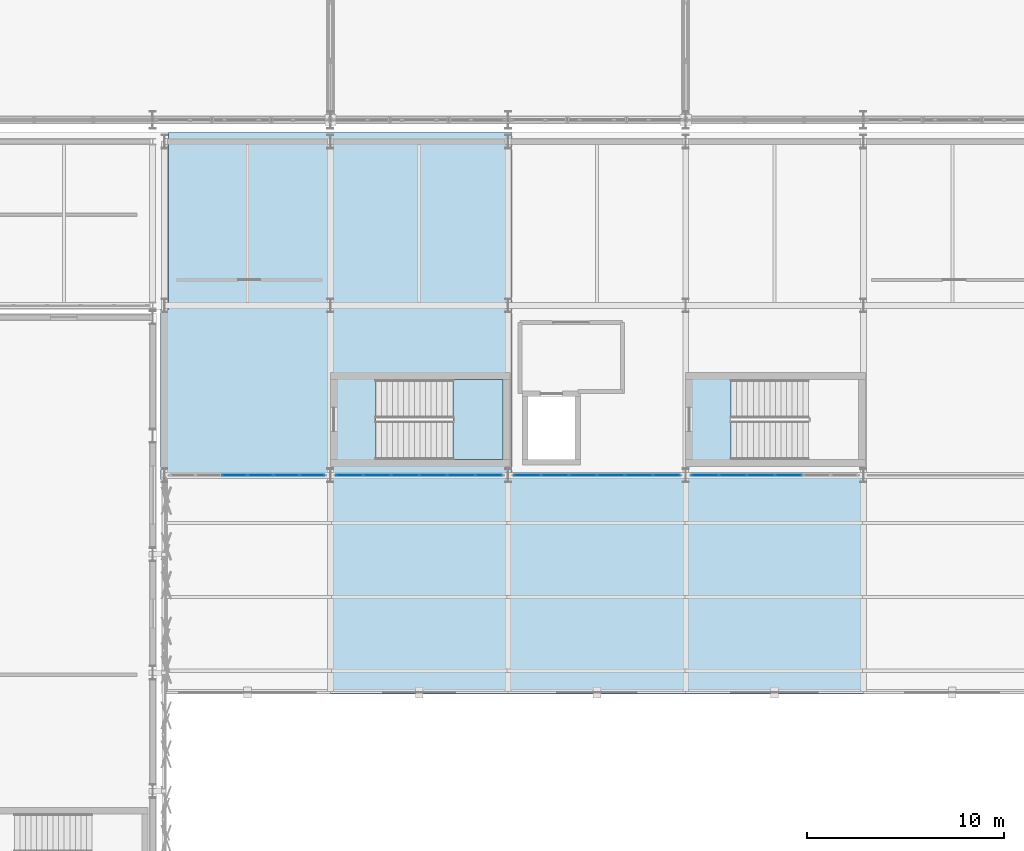
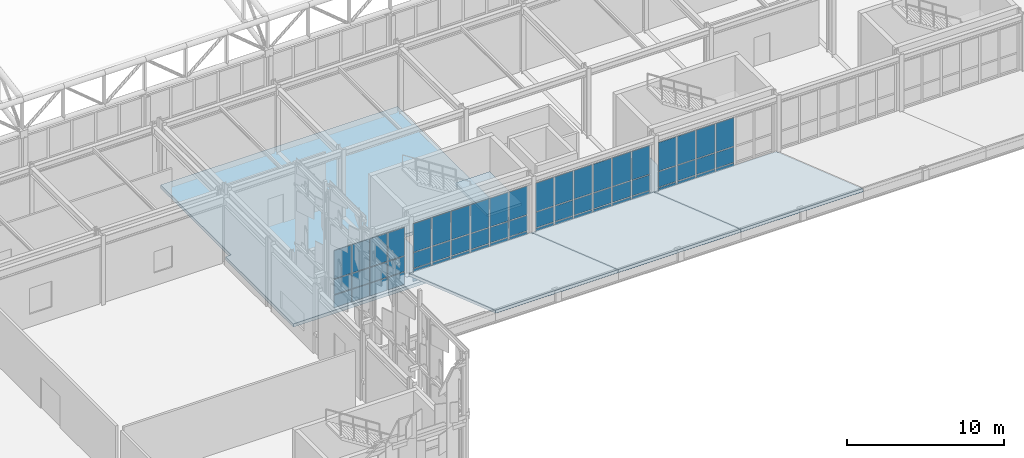
# One storey, part 182 of 239: 60 plates, 7 slabs, 6 elements without a shape of their own.
"""IFC4 building model written with IfcOpenShell, lengths in metres."""

from ifc_helpers import new_model, si_unit, direction, frame, origin, origin_2d, place, context, subcontext, project, spatial, polyline, rectangle, outline, extrude, material, layer, layer_set, type_object, element, aggregate, save


model = new_model("IFC4")

# Units and contexts
model_context = context("Model", 3, precision=1e-05, world=origin(), true_north=direction((0.0, 1.0)))
body_context = subcontext(model_context, "Body", "Model", "MODEL_VIEW")
ifc_project = project(units=[si_unit("LENGTHUNIT", "METRE"), si_unit("AREAUNIT", "SQUARE_METRE"), si_unit("VOLUMEUNIT", "CUBIC_METRE"), si_unit("PLANEANGLEUNIT", "RADIAN"), si_unit("MASSUNIT", "GRAM", prefix="KILO")], contexts=[model_context])

# Site, building, storey
site_placement = place(None, origin())
site = spatial("IfcSite", under=ifc_project, at=site_placement, CompositionType="ELEMENT")
building_placement = place(site_placement, origin())
building = spatial("IfcBuilding", under=site, at=building_placement, Name="Kaldris Quays Convention Centre", CompositionType="ELEMENT")
storey_placement = place(building_placement, frame((0.0, 0.0, 11.39990234375)))
storey = spatial("IfcBuildingStorey", under=building, at=storey_placement, Name="L02", CompositionType="ELEMENT", Elevation=11.39990234375)

# Curtain wall, plates
ifc_material_1 = material(Name="Anodized aluminium AW-6060 and triple glazing", Category="aluminium")
curtain_wall_type = type_object("IfcCurtainWallType", Name="UNITISED CURTAIN WALL CW04", PredefinedType="NOTDEFINED", material=ifc_material_1)
curtain_wall_1_placement = place(storey_placement, origin())
curtain_wall_1 = element("IfcCurtainWall", 1, at=curtain_wall_1_placement, inside=storey, type_object=curtain_wall_type, Name="L02 Unitised Curtain Wall CW04 114", PredefinedType="NOTDEFINED")
ifc_material_2 = material(Name="Triple low-E insulated glazing", Category="glass")
plate_type_1 = type_object("IfcPlateType", Name="CURTAIN GLAZING PANEL CWP2", PredefinedType="CURTAIN_PANEL", material=ifc_material_2)
plate_1_placement = place(storey_placement, frame((87.1416015625, 38.0, 0.06005859375), z_axis=(0.0, 0.0, 1.0), x_axis=(1.0, 0.0, 0.0)))
plate_1 = element("IfcPlate", 2, at=plate_1_placement, type_object=plate_type_1, Name="CW04 panel 3.1", PredefinedType="CURTAIN_PANEL", context=body_context, shape_type="SweptSolid", body=[
    extrude(rectangle(XDim=1.256591796875, YDim=0.033935546875, at=origin_2d()), origin(), (0.0, 0.0, 1.0), 0.9599609375),
])
plate_2_placement = place(storey_placement, frame((87.1416015625, 38.0, 1.080078125), z_axis=(0.0, 0.0, 1.0), x_axis=(1.0, 0.0, 0.0)))
plate_2 = element("IfcPlate", 3, at=plate_2_placement, type_object=plate_type_1, Name="CW04 panel 3.2", PredefinedType="CURTAIN_PANEL", context=body_context, shape_type="SweptSolid", body=[
    extrude(rectangle(XDim=1.256591796875, YDim=0.033935546875, at=origin_2d()), origin(), (0.0, 0.0, 1.0), 1.1640625),
])
plate_3_placement = place(storey_placement, frame((87.1416015625, 38.0, 2.303955078125), z_axis=(0.0, 0.0, 1.0), x_axis=(1.0, 0.0, 0.0)))
plate_3 = element("IfcPlate", 4, at=plate_3_placement, type_object=plate_type_1, Name="CW04 panel 3.3", PredefinedType="CURTAIN_PANEL", context=body_context, shape_type="SweptSolid", body=[
    extrude(rectangle(XDim=1.256591796875, YDim=0.033935546875, at=origin_2d()), origin(), (0.0, 0.0, 1.0), 2.18408203125),
])
plate_4_placement = place(storey_placement, frame((88.458251953125, 38.0, 0.06005859375), z_axis=(0.0, 0.0, 1.0), x_axis=(1.0, 0.0, 0.0)))
plate_4 = element("IfcPlate", 5, at=plate_4_placement, type_object=plate_type_1, Name="CW04 panel 4.1", PredefinedType="CURTAIN_PANEL", context=body_context, shape_type="SweptSolid", body=[
    extrude(rectangle(XDim=1.256591796875, YDim=0.033935546875, at=origin_2d()), origin(), (0.0, 0.0, 1.0), 0.9599609375),
])
plate_5_placement = place(storey_placement, frame((88.458251953125, 38.0, 1.080078125), z_axis=(0.0, 0.0, 1.0), x_axis=(1.0, 0.0, 0.0)))
plate_5 = element("IfcPlate", 6, at=plate_5_placement, type_object=plate_type_1, Name="CW04 panel 4.2", PredefinedType="CURTAIN_PANEL", context=body_context, shape_type="SweptSolid", body=[
    extrude(rectangle(XDim=1.256591796875, YDim=0.033935546875, at=origin_2d()), origin(), (0.0, 0.0, 1.0), 1.1640625),
])
plate_6_placement = place(storey_placement, frame((88.458251953125, 38.0, 2.303955078125), z_axis=(0.0, 0.0, 1.0), x_axis=(1.0, 0.0, 0.0)))
plate_6 = element("IfcPlate", 7, at=plate_6_placement, type_object=plate_type_1, Name="CW04 panel 4.3", PredefinedType="CURTAIN_PANEL", context=body_context, shape_type="SweptSolid", body=[
    extrude(rectangle(XDim=1.256591796875, YDim=0.033935546875, at=origin_2d()), origin(), (0.0, 0.0, 1.0), 2.18408203125),
])
plate_7_placement = place(storey_placement, frame((89.77490234375, 38.0, 0.06005859375), z_axis=(0.0, 0.0, 1.0), x_axis=(1.0, 0.0, 0.0)))
plate_7 = element("IfcPlate", 8, at=plate_7_placement, type_object=plate_type_1, Name="CW04 panel 5.1", PredefinedType="CURTAIN_PANEL", context=body_context, shape_type="SweptSolid", body=[
    extrude(rectangle(XDim=1.256591796875, YDim=0.033935546875, at=origin_2d()), origin(), (0.0, 0.0, 1.0), 0.9599609375),
])
plate_8_placement = place(storey_placement, frame((89.77490234375, 38.0, 1.080078125), z_axis=(0.0, 0.0, 1.0), x_axis=(1.0, 0.0, 0.0)))
plate_8 = element("IfcPlate", 9, at=plate_8_placement, type_object=plate_type_1, Name="CW04 panel 5.2", PredefinedType="CURTAIN_PANEL", context=body_context, shape_type="SweptSolid", body=[
    extrude(rectangle(XDim=1.256591796875, YDim=0.033935546875, at=origin_2d()), origin(), (0.0, 0.0, 1.0), 1.1640625),
])
plate_9_placement = place(storey_placement, frame((89.77490234375, 38.0, 2.303955078125), z_axis=(0.0, 0.0, 1.0), x_axis=(1.0, 0.0, 0.0)))
plate_9 = element("IfcPlate", 10, at=plate_9_placement, type_object=plate_type_1, Name="CW04 panel 5.3", PredefinedType="CURTAIN_PANEL", context=body_context, shape_type="SweptSolid", body=[
    extrude(rectangle(XDim=1.256591796875, YDim=0.033935546875, at=origin_2d()), origin(), (0.0, 0.0, 1.0), 2.18408203125),
])
plate_10_placement = place(storey_placement, frame((91.07666015625, 38.0, 0.06005859375), z_axis=(0.0, 0.0, 1.0), x_axis=(1.0, 0.0, 0.0)))
plate_10 = element("IfcPlate", 11, at=plate_10_placement, type_object=plate_type_1, Name="CW04 panel 6.1", PredefinedType="CURTAIN_PANEL", context=body_context, shape_type="SweptSolid", body=[
    extrude(rectangle(XDim=1.2265625, YDim=0.033935546875, at=origin_2d()), origin(), (0.0, 0.0, 1.0), 0.9599609375),
])
plate_11_placement = place(storey_placement, frame((91.07666015625, 38.0, 1.080078125), z_axis=(0.0, 0.0, 1.0), x_axis=(1.0, 0.0, 0.0)))
plate_11 = element("IfcPlate", 12, at=plate_11_placement, type_object=plate_type_1, Name="CW04 panel 6.2", PredefinedType="CURTAIN_PANEL", context=body_context, shape_type="SweptSolid", body=[
    extrude(rectangle(XDim=1.2265625, YDim=0.033935546875, at=origin_2d()), origin(), (0.0, 0.0, 1.0), 1.1640625),
])
plate_12_placement = place(storey_placement, frame((91.07666015625, 38.0, 2.303955078125), z_axis=(0.0, 0.0, 1.0), x_axis=(1.0, 0.0, 0.0)))
plate_12 = element("IfcPlate", 13, at=plate_12_placement, type_object=plate_type_1, Name="CW04 panel 6.3", PredefinedType="CURTAIN_PANEL", context=body_context, shape_type="SweptSolid", body=[
    extrude(rectangle(XDim=1.2265625, YDim=0.033935546875, at=origin_2d()), origin(), (0.0, 0.0, 1.0), 2.18408203125),
])
aggregate(curtain_wall_1, [plate_1, plate_2, plate_3, plate_4, plate_5, plate_6, plate_7, plate_8, plate_9, plate_10, plate_11, plate_12])

curtain_wall_2_placement = place(storey_placement, origin())
curtain_wall_2 = element("IfcCurtainWall", 14, at=curtain_wall_2_placement, inside=storey, type_object=curtain_wall_type, Name="L02 Unitised Curtain Wall CW04 115", PredefinedType="NOTDEFINED")
plate_type_2 = type_object("IfcPlateType", Name="CURTAIN GLAZING PANEL CWP3", PredefinedType="CURTAIN_PANEL", material=ifc_material_2)
plate_13_placement = place(storey_placement, frame((92.973388671875, 38.0, 0.06005859375), z_axis=(0.0, 0.0, 1.0), x_axis=(1.0, 0.0, 0.0)))
plate_13 = element("IfcPlate", 15, at=plate_13_placement, type_object=plate_type_2, Name="CW04 panel 1.1", PredefinedType="CURTAIN_PANEL", context=body_context, shape_type="SweptSolid", body=[
    extrude(rectangle(XDim=1.32666015625, YDim=0.0390625, at=origin_2d()), origin(), (0.0, 0.0, 1.0), 0.9599609375),
])
plate_14_placement = place(storey_placement, frame((92.973388671875, 38.0, 1.080078125), z_axis=(0.0, 0.0, 1.0), x_axis=(1.0, 0.0, 0.0)))
plate_14 = element("IfcPlate", 16, at=plate_14_placement, type_object=plate_type_2, Name="CW04 panel 1.2", PredefinedType="CURTAIN_PANEL", context=body_context, shape_type="SweptSolid", body=[
    extrude(rectangle(XDim=1.32666015625, YDim=0.0390625, at=origin_2d()), origin(), (0.0, 0.0, 1.0), 1.18994140625),
])
plate_15_placement = place(storey_placement, frame((92.973388671875, 38.0, 2.330078125), z_axis=(0.0, 0.0, 1.0), x_axis=(1.0, 0.0, 0.0)))
plate_15 = element("IfcPlate", 17, at=plate_15_placement, type_object=plate_type_2, Name="CW04 panel 1.3", PredefinedType="CURTAIN_PANEL", context=body_context, shape_type="SweptSolid", body=[
    extrude(rectangle(XDim=1.32666015625, YDim=0.0390625, at=origin_2d()), origin(), (0.0, 0.0, 1.0), 2.2099609375),
])
plate_16_placement = place(storey_placement, frame((94.375, 38.0, 0.06005859375), z_axis=(0.0, 0.0, 1.0), x_axis=(1.0, 0.0, 0.0)))
plate_16 = element("IfcPlate", 18, at=plate_16_placement, type_object=plate_type_2, Name="CW04 panel 2.1", PredefinedType="CURTAIN_PANEL", context=body_context, shape_type="SweptSolid", body=[
    extrude(rectangle(XDim=1.356689453125, YDim=0.0390625, at=origin_2d()), origin(), (0.0, 0.0, 1.0), 0.9599609375),
])
plate_17_placement = place(storey_placement, frame((94.375, 38.0, 1.080078125), z_axis=(0.0, 0.0, 1.0), x_axis=(1.0, 0.0, 0.0)))
plate_17 = element("IfcPlate", 19, at=plate_17_placement, type_object=plate_type_2, Name="CW04 panel 2.2", PredefinedType="CURTAIN_PANEL", context=body_context, shape_type="SweptSolid", body=[
    extrude(rectangle(XDim=1.356689453125, YDim=0.0390625, at=origin_2d()), origin(), (0.0, 0.0, 1.0), 1.18994140625),
])
plate_18_placement = place(storey_placement, frame((94.375, 38.0, 2.330078125), z_axis=(0.0, 0.0, 1.0), x_axis=(1.0, 0.0, 0.0)))
plate_18 = element("IfcPlate", 20, at=plate_18_placement, type_object=plate_type_2, Name="CW04 panel 2.3", PredefinedType="CURTAIN_PANEL", context=body_context, shape_type="SweptSolid", body=[
    extrude(rectangle(XDim=1.356689453125, YDim=0.0390625, at=origin_2d()), origin(), (0.0, 0.0, 1.0), 2.2099609375),
])
plate_19_placement = place(storey_placement, frame((95.791748046875, 38.0, 0.06005859375), z_axis=(0.0, 0.0, 1.0), x_axis=(1.0, 0.0, 0.0)))
plate_19 = element("IfcPlate", 21, at=plate_19_placement, type_object=plate_type_2, Name="CW04 panel 3.1", PredefinedType="CURTAIN_PANEL", context=body_context, shape_type="SweptSolid", body=[
    extrude(rectangle(XDim=1.356689453125, YDim=0.0390625, at=origin_2d()), origin(), (0.0, 0.0, 1.0), 0.9599609375),
])
plate_20_placement = place(storey_placement, frame((95.791748046875, 38.0, 1.080078125), z_axis=(0.0, 0.0, 1.0), x_axis=(1.0, 0.0, 0.0)))
plate_20 = element("IfcPlate", 22, at=plate_20_placement, type_object=plate_type_2, Name="CW04 panel 3.2", PredefinedType="CURTAIN_PANEL", context=body_context, shape_type="SweptSolid", body=[
    extrude(rectangle(XDim=1.356689453125, YDim=0.0390625, at=origin_2d()), origin(), (0.0, 0.0, 1.0), 1.18994140625),
])
plate_21_placement = place(storey_placement, frame((95.791748046875, 38.0, 2.330078125), z_axis=(0.0, 0.0, 1.0), x_axis=(1.0, 0.0, 0.0)))
plate_21 = element("IfcPlate", 23, at=plate_21_placement, type_object=plate_type_2, Name="CW04 panel 3.3", PredefinedType="CURTAIN_PANEL", context=body_context, shape_type="SweptSolid", body=[
    extrude(rectangle(XDim=1.356689453125, YDim=0.0390625, at=origin_2d()), origin(), (0.0, 0.0, 1.0), 2.2099609375),
])
plate_22_placement = place(storey_placement, frame((97.208251953125, 38.0, 0.06005859375), z_axis=(0.0, 0.0, 1.0), x_axis=(1.0, 0.0, 0.0)))
plate_22 = element("IfcPlate", 24, at=plate_22_placement, type_object=plate_type_2, Name="CW04 panel 4.1", PredefinedType="CURTAIN_PANEL", context=body_context, shape_type="SweptSolid", body=[
    extrude(rectangle(XDim=1.356689453125, YDim=0.0390625, at=origin_2d()), origin(), (0.0, 0.0, 1.0), 0.9599609375),
])
plate_23_placement = place(storey_placement, frame((97.208251953125, 38.0, 1.080078125), z_axis=(0.0, 0.0, 1.0), x_axis=(1.0, 0.0, 0.0)))
plate_23 = element("IfcPlate", 25, at=plate_23_placement, type_object=plate_type_2, Name="CW04 panel 4.2", PredefinedType="CURTAIN_PANEL", context=body_context, shape_type="SweptSolid", body=[
    extrude(rectangle(XDim=1.356689453125, YDim=0.0390625, at=origin_2d()), origin(), (0.0, 0.0, 1.0), 1.18994140625),
])
plate_24_placement = place(storey_placement, frame((97.208251953125, 38.0, 2.330078125), z_axis=(0.0, 0.0, 1.0), x_axis=(1.0, 0.0, 0.0)))
plate_24 = element("IfcPlate", 26, at=plate_24_placement, type_object=plate_type_2, Name="CW04 panel 4.3", PredefinedType="CURTAIN_PANEL", context=body_context, shape_type="SweptSolid", body=[
    extrude(rectangle(XDim=1.356689453125, YDim=0.0390625, at=origin_2d()), origin(), (0.0, 0.0, 1.0), 2.2099609375),
])
plate_25_placement = place(storey_placement, frame((98.625, 38.0, 0.06005859375), z_axis=(0.0, 0.0, 1.0), x_axis=(1.0, 0.0, 0.0)))
plate_25 = element("IfcPlate", 27, at=plate_25_placement, type_object=plate_type_2, Name="CW04 panel 5.1", PredefinedType="CURTAIN_PANEL", context=body_context, shape_type="SweptSolid", body=[
    extrude(rectangle(XDim=1.356689453125, YDim=0.0390625, at=origin_2d()), origin(), (0.0, 0.0, 1.0), 0.9599609375),
])
plate_26_placement = place(storey_placement, frame((98.625, 38.0, 1.080078125), z_axis=(0.0, 0.0, 1.0), x_axis=(1.0, 0.0, 0.0)))
plate_26 = element("IfcPlate", 28, at=plate_26_placement, type_object=plate_type_2, Name="CW04 panel 5.2", PredefinedType="CURTAIN_PANEL", context=body_context, shape_type="SweptSolid", body=[
    extrude(rectangle(XDim=1.356689453125, YDim=0.0390625, at=origin_2d()), origin(), (0.0, 0.0, 1.0), 1.18994140625),
])
plate_27_placement = place(storey_placement, frame((98.625, 38.0, 2.330078125), z_axis=(0.0, 0.0, 1.0), x_axis=(1.0, 0.0, 0.0)))
plate_27 = element("IfcPlate", 29, at=plate_27_placement, type_object=plate_type_2, Name="CW04 panel 5.3", PredefinedType="CURTAIN_PANEL", context=body_context, shape_type="SweptSolid", body=[
    extrude(rectangle(XDim=1.356689453125, YDim=0.0390625, at=origin_2d()), origin(), (0.0, 0.0, 1.0), 2.2099609375),
])
plate_28_placement = place(storey_placement, frame((100.026611328125, 38.0, 0.06005859375), z_axis=(0.0, 0.0, 1.0), x_axis=(1.0, 0.0, 0.0)))
plate_28 = element("IfcPlate", 30, at=plate_28_placement, type_object=plate_type_2, Name="CW04 panel 6.1", PredefinedType="CURTAIN_PANEL", context=body_context, shape_type="SweptSolid", body=[
    extrude(rectangle(XDim=1.32666015625, YDim=0.0390625, at=origin_2d()), origin(), (0.0, 0.0, 1.0), 0.9599609375),
])
plate_29_placement = place(storey_placement, frame((100.026611328125, 38.0, 1.080078125), z_axis=(0.0, 0.0, 1.0), x_axis=(1.0, 0.0, 0.0)))
plate_29 = element("IfcPlate", 31, at=plate_29_placement, type_object=plate_type_2, Name="CW04 panel 6.2", PredefinedType="CURTAIN_PANEL", context=body_context, shape_type="SweptSolid", body=[
    extrude(rectangle(XDim=1.32666015625, YDim=0.0390625, at=origin_2d()), origin(), (0.0, 0.0, 1.0), 1.18994140625),
])
plate_30_placement = place(storey_placement, frame((100.026611328125, 38.0, 2.330078125), z_axis=(0.0, 0.0, 1.0), x_axis=(1.0, 0.0, 0.0)))
plate_30 = element("IfcPlate", 32, at=plate_30_placement, type_object=plate_type_2, Name="CW04 panel 6.3", PredefinedType="CURTAIN_PANEL", context=body_context, shape_type="SweptSolid", body=[
    extrude(rectangle(XDim=1.32666015625, YDim=0.0390625, at=origin_2d()), origin(), (0.0, 0.0, 1.0), 2.2099609375),
])
aggregate(curtain_wall_2, [plate_13, plate_14, plate_15, plate_16, plate_17, plate_18, plate_19, plate_20, plate_21, plate_22, plate_23, plate_24, plate_25, plate_26, plate_27, plate_28, plate_29, plate_30])

curtain_wall_3_placement = place(storey_placement, origin())
curtain_wall_3 = element("IfcCurtainWall", 33, at=curtain_wall_3_placement, inside=storey, type_object=curtain_wall_type, Name="L02 Unitised Curtain Wall CW04 116", PredefinedType="NOTDEFINED")
plate_type_3 = type_object("IfcPlateType", Name="CURTAIN GLAZING PANEL CWP4", PredefinedType="CURTAIN_PANEL", material=ifc_material_2)
plate_31_placement = place(storey_placement, frame((101.973388671875, 38.0, 0.06005859375), z_axis=(0.0, 0.0, 1.0), x_axis=(1.0, 0.0, 0.0)))
plate_31 = element("IfcPlate", 34, at=plate_31_placement, type_object=plate_type_3, Name="CW04 panel 1.1", PredefinedType="CURTAIN_PANEL", context=body_context, shape_type="SweptSolid", body=[
    extrude(rectangle(XDim=1.32666015625, YDim=0.0439453125, at=origin_2d()), origin(), (0.0, 0.0, 1.0), 0.9599609375),
])
plate_32_placement = place(storey_placement, frame((101.973388671875, 38.0, 1.080078125), z_axis=(0.0, 0.0, 1.0), x_axis=(1.0, 0.0, 0.0)))
plate_32 = element("IfcPlate", 35, at=plate_32_placement, type_object=plate_type_3, Name="CW04 panel 1.2", PredefinedType="CURTAIN_PANEL", context=body_context, shape_type="SweptSolid", body=[
    extrude(rectangle(XDim=1.32666015625, YDim=0.0439453125, at=origin_2d()), origin(), (0.0, 0.0, 1.0), 1.18994140625),
])
plate_33_placement = place(storey_placement, frame((101.973388671875, 38.0, 2.330078125), z_axis=(0.0, 0.0, 1.0), x_axis=(1.0, 0.0, 0.0)))
plate_33 = element("IfcPlate", 36, at=plate_33_placement, type_object=plate_type_3, Name="CW04 panel 1.3", PredefinedType="CURTAIN_PANEL", context=body_context, shape_type="SweptSolid", body=[
    extrude(rectangle(XDim=1.32666015625, YDim=0.0439453125, at=origin_2d()), origin(), (0.0, 0.0, 1.0), 2.2099609375),
])
plate_34_placement = place(storey_placement, frame((103.375, 38.0, 0.06005859375), z_axis=(0.0, 0.0, 1.0), x_axis=(1.0, 0.0, 0.0)))
plate_34 = element("IfcPlate", 37, at=plate_34_placement, type_object=plate_type_3, Name="CW04 panel 2.1", PredefinedType="CURTAIN_PANEL", context=body_context, shape_type="SweptSolid", body=[
    extrude(rectangle(XDim=1.356689453125, YDim=0.0439453125, at=origin_2d()), origin(), (0.0, 0.0, 1.0), 0.9599609375),
])
plate_35_placement = place(storey_placement, frame((103.375, 38.0, 1.080078125), z_axis=(0.0, 0.0, 1.0), x_axis=(1.0, 0.0, 0.0)))
plate_35 = element("IfcPlate", 38, at=plate_35_placement, type_object=plate_type_3, Name="CW04 panel 2.2", PredefinedType="CURTAIN_PANEL", context=body_context, shape_type="SweptSolid", body=[
    extrude(rectangle(XDim=1.356689453125, YDim=0.0439453125, at=origin_2d()), origin(), (0.0, 0.0, 1.0), 1.18994140625),
])
plate_36_placement = place(storey_placement, frame((103.375, 38.0, 2.330078125), z_axis=(0.0, 0.0, 1.0), x_axis=(1.0, 0.0, 0.0)))
plate_36 = element("IfcPlate", 39, at=plate_36_placement, type_object=plate_type_3, Name="CW04 panel 2.3", PredefinedType="CURTAIN_PANEL", context=body_context, shape_type="SweptSolid", body=[
    extrude(rectangle(XDim=1.356689453125, YDim=0.0439453125, at=origin_2d()), origin(), (0.0, 0.0, 1.0), 2.2099609375),
])
plate_37_placement = place(storey_placement, frame((104.791748046875, 38.0, 0.06005859375), z_axis=(0.0, 0.0, 1.0), x_axis=(1.0, 0.0, 0.0)))
plate_37 = element("IfcPlate", 40, at=plate_37_placement, type_object=plate_type_3, Name="CW04 panel 3.1", PredefinedType="CURTAIN_PANEL", context=body_context, shape_type="SweptSolid", body=[
    extrude(rectangle(XDim=1.356689453125, YDim=0.0439453125, at=origin_2d()), origin(), (0.0, 0.0, 1.0), 0.9599609375),
])
plate_38_placement = place(storey_placement, frame((104.791748046875, 38.0, 1.080078125), z_axis=(0.0, 0.0, 1.0), x_axis=(1.0, 0.0, 0.0)))
plate_38 = element("IfcPlate", 41, at=plate_38_placement, type_object=plate_type_3, Name="CW04 panel 3.2", PredefinedType="CURTAIN_PANEL", context=body_context, shape_type="SweptSolid", body=[
    extrude(rectangle(XDim=1.356689453125, YDim=0.0439453125, at=origin_2d()), origin(), (0.0, 0.0, 1.0), 1.18994140625),
])
plate_39_placement = place(storey_placement, frame((104.791748046875, 38.0, 2.330078125), z_axis=(0.0, 0.0, 1.0), x_axis=(1.0, 0.0, 0.0)))
plate_39 = element("IfcPlate", 42, at=plate_39_placement, type_object=plate_type_3, Name="CW04 panel 3.3", PredefinedType="CURTAIN_PANEL", context=body_context, shape_type="SweptSolid", body=[
    extrude(rectangle(XDim=1.356689453125, YDim=0.0439453125, at=origin_2d()), origin(), (0.0, 0.0, 1.0), 2.2099609375),
])
plate_40_placement = place(storey_placement, frame((106.208251953125, 38.0, 0.06005859375), z_axis=(0.0, 0.0, 1.0), x_axis=(1.0, 0.0, 0.0)))
plate_40 = element("IfcPlate", 43, at=plate_40_placement, type_object=plate_type_3, Name="CW04 panel 4.1", PredefinedType="CURTAIN_PANEL", context=body_context, shape_type="SweptSolid", body=[
    extrude(rectangle(XDim=1.356689453125, YDim=0.0439453125, at=origin_2d()), origin(), (0.0, 0.0, 1.0), 0.9599609375),
])
plate_41_placement = place(storey_placement, frame((106.208251953125, 38.0, 1.080078125), z_axis=(0.0, 0.0, 1.0), x_axis=(1.0, 0.0, 0.0)))
plate_41 = element("IfcPlate", 44, at=plate_41_placement, type_object=plate_type_3, Name="CW04 panel 4.2", PredefinedType="CURTAIN_PANEL", context=body_context, shape_type="SweptSolid", body=[
    extrude(rectangle(XDim=1.356689453125, YDim=0.0439453125, at=origin_2d()), origin(), (0.0, 0.0, 1.0), 1.18994140625),
])
plate_42_placement = place(storey_placement, frame((106.208251953125, 38.0, 2.330078125), z_axis=(0.0, 0.0, 1.0), x_axis=(1.0, 0.0, 0.0)))
plate_42 = element("IfcPlate", 45, at=plate_42_placement, type_object=plate_type_3, Name="CW04 panel 4.3", PredefinedType="CURTAIN_PANEL", context=body_context, shape_type="SweptSolid", body=[
    extrude(rectangle(XDim=1.356689453125, YDim=0.0439453125, at=origin_2d()), origin(), (0.0, 0.0, 1.0), 2.2099609375),
])
plate_43_placement = place(storey_placement, frame((107.625, 38.0, 0.06005859375), z_axis=(0.0, 0.0, 1.0), x_axis=(1.0, 0.0, 0.0)))
plate_43 = element("IfcPlate", 46, at=plate_43_placement, type_object=plate_type_3, Name="CW04 panel 5.1", PredefinedType="CURTAIN_PANEL", context=body_context, shape_type="SweptSolid", body=[
    extrude(rectangle(XDim=1.356689453125, YDim=0.0439453125, at=origin_2d()), origin(), (0.0, 0.0, 1.0), 0.9599609375),
])
plate_44_placement = place(storey_placement, frame((107.625, 38.0, 1.080078125), z_axis=(0.0, 0.0, 1.0), x_axis=(1.0, 0.0, 0.0)))
plate_44 = element("IfcPlate", 47, at=plate_44_placement, type_object=plate_type_3, Name="CW04 panel 5.2", PredefinedType="CURTAIN_PANEL", context=body_context, shape_type="SweptSolid", body=[
    extrude(rectangle(XDim=1.356689453125, YDim=0.0439453125, at=origin_2d()), origin(), (0.0, 0.0, 1.0), 1.18994140625),
])
plate_45_placement = place(storey_placement, frame((107.625, 38.0, 2.330078125), z_axis=(0.0, 0.0, 1.0), x_axis=(1.0, 0.0, 0.0)))
plate_45 = element("IfcPlate", 48, at=plate_45_placement, type_object=plate_type_3, Name="CW04 panel 5.3", PredefinedType="CURTAIN_PANEL", context=body_context, shape_type="SweptSolid", body=[
    extrude(rectangle(XDim=1.356689453125, YDim=0.0439453125, at=origin_2d()), origin(), (0.0, 0.0, 1.0), 2.2099609375),
])
plate_46_placement = place(storey_placement, frame((109.026611328125, 38.0, 0.06005859375), z_axis=(0.0, 0.0, 1.0), x_axis=(1.0, 0.0, 0.0)))
plate_46 = element("IfcPlate", 49, at=plate_46_placement, type_object=plate_type_3, Name="CW04 panel 6.1", PredefinedType="CURTAIN_PANEL", context=body_context, shape_type="SweptSolid", body=[
    extrude(rectangle(XDim=1.32666015625, YDim=0.0439453125, at=origin_2d()), origin(), (0.0, 0.0, 1.0), 0.9599609375),
])
plate_47_placement = place(storey_placement, frame((109.026611328125, 38.0, 1.080078125), z_axis=(0.0, 0.0, 1.0), x_axis=(1.0, 0.0, 0.0)))
plate_47 = element("IfcPlate", 50, at=plate_47_placement, type_object=plate_type_3, Name="CW04 panel 6.2", PredefinedType="CURTAIN_PANEL", context=body_context, shape_type="SweptSolid", body=[
    extrude(rectangle(XDim=1.32666015625, YDim=0.0439453125, at=origin_2d()), origin(), (0.0, 0.0, 1.0), 1.18994140625),
])
plate_48_placement = place(storey_placement, frame((109.026611328125, 38.0, 2.330078125), z_axis=(0.0, 0.0, 1.0), x_axis=(1.0, 0.0, 0.0)))
plate_48 = element("IfcPlate", 51, at=plate_48_placement, type_object=plate_type_3, Name="CW04 panel 6.3", PredefinedType="CURTAIN_PANEL", context=body_context, shape_type="SweptSolid", body=[
    extrude(rectangle(XDim=1.32666015625, YDim=0.0439453125, at=origin_2d()), origin(), (0.0, 0.0, 1.0), 2.2099609375),
])
aggregate(curtain_wall_3, [plate_31, plate_32, plate_33, plate_34, plate_35, plate_36, plate_37, plate_38, plate_39, plate_40, plate_41, plate_42, plate_43, plate_44, plate_45, plate_46, plate_47, plate_48])

curtain_wall_4_placement = place(storey_placement, origin())
curtain_wall_4 = element("IfcCurtainWall", 52, at=curtain_wall_4_placement, inside=storey, type_object=curtain_wall_type, Name="L02 Unitised Curtain Wall CW04 117", PredefinedType="NOTDEFINED")
plate_type_4 = type_object("IfcPlateType", Name="CURTAIN GLAZING PANEL CWP5", PredefinedType="CURTAIN_PANEL", material=ifc_material_2)
plate_49_placement = place(storey_placement, frame((110.973388671875, 38.0, 0.06005859375), z_axis=(0.0, 0.0, 1.0), x_axis=(1.0, 0.0, 0.0)))
plate_49 = element("IfcPlate", 53, at=plate_49_placement, type_object=plate_type_4, Name="CW04 panel 1.1", PredefinedType="CURTAIN_PANEL", context=body_context, shape_type="SweptSolid", body=[
    extrude(rectangle(XDim=1.32666015625, YDim=0.049072265625, at=origin_2d()), origin(), (0.0, 0.0, 1.0), 0.9599609375),
])
plate_50_placement = place(storey_placement, frame((110.973388671875, 38.0, 1.080078125), z_axis=(0.0, 0.0, 1.0), x_axis=(1.0, 0.0, 0.0)))
plate_50 = element("IfcPlate", 54, at=plate_50_placement, type_object=plate_type_4, Name="CW04 panel 1.2", PredefinedType="CURTAIN_PANEL", context=body_context, shape_type="SweptSolid", body=[
    extrude(rectangle(XDim=1.32666015625, YDim=0.049072265625, at=origin_2d()), origin(), (0.0, 0.0, 1.0), 1.18994140625),
])
plate_51_placement = place(storey_placement, frame((110.973388671875, 38.0, 2.330078125), z_axis=(0.0, 0.0, 1.0), x_axis=(1.0, 0.0, 0.0)))
plate_51 = element("IfcPlate", 55, at=plate_51_placement, type_object=plate_type_4, Name="CW04 panel 1.3", PredefinedType="CURTAIN_PANEL", context=body_context, shape_type="SweptSolid", body=[
    extrude(rectangle(XDim=1.32666015625, YDim=0.049072265625, at=origin_2d()), origin(), (0.0, 0.0, 1.0), 2.2099609375),
])
plate_52_placement = place(storey_placement, frame((112.375, 38.0, 0.06005859375), z_axis=(0.0, 0.0, 1.0), x_axis=(1.0, 0.0, 0.0)))
plate_52 = element("IfcPlate", 56, at=plate_52_placement, type_object=plate_type_4, Name="CW04 panel 2.1", PredefinedType="CURTAIN_PANEL", context=body_context, shape_type="SweptSolid", body=[
    extrude(rectangle(XDim=1.356689453125, YDim=0.049072265625, at=origin_2d()), origin(), (0.0, 0.0, 1.0), 0.9599609375),
])
plate_53_placement = place(storey_placement, frame((112.375, 38.0, 1.080078125), z_axis=(0.0, 0.0, 1.0), x_axis=(1.0, 0.0, 0.0)))
plate_53 = element("IfcPlate", 57, at=plate_53_placement, type_object=plate_type_4, Name="CW04 panel 2.2", PredefinedType="CURTAIN_PANEL", context=body_context, shape_type="SweptSolid", body=[
    extrude(rectangle(XDim=1.356689453125, YDim=0.049072265625, at=origin_2d()), origin(), (0.0, 0.0, 1.0), 1.18994140625),
])
plate_54_placement = place(storey_placement, frame((112.375, 38.0, 2.330078125), z_axis=(0.0, 0.0, 1.0), x_axis=(1.0, 0.0, 0.0)))
plate_54 = element("IfcPlate", 58, at=plate_54_placement, type_object=plate_type_4, Name="CW04 panel 2.3", PredefinedType="CURTAIN_PANEL", context=body_context, shape_type="SweptSolid", body=[
    extrude(rectangle(XDim=1.356689453125, YDim=0.049072265625, at=origin_2d()), origin(), (0.0, 0.0, 1.0), 2.2099609375),
])
plate_55_placement = place(storey_placement, frame((113.791748046875, 38.0, 0.06005859375), z_axis=(0.0, 0.0, 1.0), x_axis=(1.0, 0.0, 0.0)))
plate_55 = element("IfcPlate", 59, at=plate_55_placement, type_object=plate_type_4, Name="CW04 panel 3.1", PredefinedType="CURTAIN_PANEL", context=body_context, shape_type="SweptSolid", body=[
    extrude(rectangle(XDim=1.356689453125, YDim=0.049072265625, at=origin_2d()), origin(), (0.0, 0.0, 1.0), 0.9599609375),
])
plate_56_placement = place(storey_placement, frame((113.791748046875, 38.0, 1.080078125), z_axis=(0.0, 0.0, 1.0), x_axis=(1.0, 0.0, 0.0)))
plate_56 = element("IfcPlate", 60, at=plate_56_placement, type_object=plate_type_4, Name="CW04 panel 3.2", PredefinedType="CURTAIN_PANEL", context=body_context, shape_type="SweptSolid", body=[
    extrude(rectangle(XDim=1.356689453125, YDim=0.049072265625, at=origin_2d()), origin(), (0.0, 0.0, 1.0), 1.18994140625),
])
plate_57_placement = place(storey_placement, frame((113.791748046875, 38.0, 2.330078125), z_axis=(0.0, 0.0, 1.0), x_axis=(1.0, 0.0, 0.0)))
plate_57 = element("IfcPlate", 61, at=plate_57_placement, type_object=plate_type_4, Name="CW04 panel 3.3", PredefinedType="CURTAIN_PANEL", context=body_context, shape_type="SweptSolid", body=[
    extrude(rectangle(XDim=1.356689453125, YDim=0.049072265625, at=origin_2d()), origin(), (0.0, 0.0, 1.0), 2.2099609375),
])
plate_58_placement = place(storey_placement, frame((115.208251953125, 38.0, 0.06005859375), z_axis=(0.0, 0.0, 1.0), x_axis=(1.0, 0.0, 0.0)))
plate_58 = element("IfcPlate", 62, at=plate_58_placement, type_object=plate_type_4, Name="CW04 panel 4.1", PredefinedType="CURTAIN_PANEL", context=body_context, shape_type="SweptSolid", body=[
    extrude(rectangle(XDim=1.356689453125, YDim=0.049072265625, at=origin_2d()), origin(), (0.0, 0.0, 1.0), 0.9599609375),
])
plate_59_placement = place(storey_placement, frame((115.208251953125, 38.0, 1.080078125), z_axis=(0.0, 0.0, 1.0), x_axis=(1.0, 0.0, 0.0)))
plate_59 = element("IfcPlate", 63, at=plate_59_placement, type_object=plate_type_4, Name="CW04 panel 4.2", PredefinedType="CURTAIN_PANEL", context=body_context, shape_type="SweptSolid", body=[
    extrude(rectangle(XDim=1.356689453125, YDim=0.049072265625, at=origin_2d()), origin(), (0.0, 0.0, 1.0), 1.18994140625),
])
plate_60_placement = place(storey_placement, frame((115.208251953125, 38.0, 2.330078125), z_axis=(0.0, 0.0, 1.0), x_axis=(1.0, 0.0, 0.0)))
plate_60 = element("IfcPlate", 64, at=plate_60_placement, type_object=plate_type_4, Name="CW04 panel 4.3", PredefinedType="CURTAIN_PANEL", context=body_context, shape_type="SweptSolid", body=[
    extrude(rectangle(XDim=1.356689453125, YDim=0.049072265625, at=origin_2d()), origin(), (0.0, 0.0, 1.0), 2.2099609375),
])
aggregate(curtain_wall_4, [plate_49, plate_50, plate_51, plate_52, plate_53, plate_54, plate_55, plate_56, plate_57, plate_58, plate_59, plate_60])

# Stair, slab
ifc_material_3 = material(Name="Concrete C35/45", Category="concrete")
stair_type = type_object("IfcStairType", Name="DOGLEG ESCAPE STAIR STF1", PredefinedType="TWO_STRAIGHT_RUN_STAIR", material=ifc_material_3)
stair_placement = place(storey_placement, origin())
stair = element("IfcStair", 65, at=stair_placement, inside=storey, type_object=stair_type, Name="L02 Escape Stair ST11", PredefinedType="TWO_STRAIGHT_RUN_STAIR")
ifc_layer_1 = layer(ifc_material_3, 0.205078125)
ifc_layer_set_1 = layer_set([ifc_layer_1], Name="Concrete C35/45")
slab_type_1 = type_object("IfcSlabType", Name="STAIR LANDING SLAB LS01", PredefinedType="LANDING", material=ifc_layer_set_1)
slab_1_placement = place(storey_placement, frame((0.0, 0.0, 2.4951171875)))
slab_1 = element("IfcSlab", 66, at=slab_1_placement, type_object=slab_type_1, Name="STF1 landing 1", PredefinedType="LANDING", context=body_context, shape_type="SweptSolid", body=[
    extrude(outline(polyline([(98.219970703125, 38.800048828125), (100.75, 38.800048828125), (100.75, 42.85009765625), (98.219970703125, 42.85009765625), (98.219970703125, 38.800048828125)])), origin(), (0.0, 0.0, 1.0), 0.205078125),
])
aggregate(stair, [slab_1])

# Slabs
ifc_layer_2 = layer(ifc_material_3, 0.27490234375)
ifc_layer_set_2 = layer_set([ifc_layer_2], Name="Concrete C35/45")
slab_type_2 = type_object("IfcSlabType", Name="STRUCTURAL SLAB FS05", PredefinedType="FLOOR", material=ifc_layer_set_2)
slab_2_placement = place(storey_placement, frame((0.0, 0.0, -0.27490234375)))
element("IfcSlab", 67, at=slab_2_placement, inside=storey, type_object=slab_type_2, Name="L02 ST11 Core Floor Landing Slab", PredefinedType="FLOOR", context=body_context, shape_type="SweptSolid", body=[
    extrude(outline(polyline([(92.22998046875, 38.679931640625), (94.300048828125, 38.679931640625), (94.300048828125, 42.969970703125), (92.22998046875, 42.969970703125), (92.22998046875, 38.679931640625)])), origin(), (0.0, 0.0, 1.0), 0.27490234375),
])
slab_3_placement = place(storey_placement, frame((0.0, 0.0, -0.27490234375)))
element("IfcSlab", 68, at=slab_3_placement, inside=storey, type_object=slab_type_2, Name="L02 ST13 Core Floor Landing Slab", PredefinedType="FLOOR", context=body_context, shape_type="SweptSolid", body=[
    extrude(outline(polyline([(110.22998046875, 38.679931640625), (112.300048828125, 38.679931640625), (112.300048828125, 42.969970703125), (110.22998046875, 42.969970703125), (110.22998046875, 38.679931640625)])), origin(), (0.0, 0.0, 1.0), 0.27490234375),
])
ifc_layer_3 = layer(ifc_material_3, 0.2548828125)
ifc_layer_set_3 = layer_set([ifc_layer_3], Name="Concrete C35/45")
slab_type_3 = type_object("IfcSlabType", Name="STRUCTURAL SLAB FS06", PredefinedType="FLOOR", material=ifc_layer_set_3)
slab_4_placement = place(storey_placement, frame((0.0, 0.0, -0.2548828125)))
element("IfcSlab", 69, at=slab_4_placement, inside=storey, type_object=slab_type_3, Name="L02 V4 L02 South 1 SLAB-L02-V4S-1", PredefinedType="FLOOR", context=body_context, shape_type="SweptSolid", body=[
    extrude(outline(polyline([(101.199951171875, 55.375), (101.199951171875, 37.800048828125), (83.39990234375, 37.800048828125), (83.39990234375, 46.39794921875), (83.802001953125, 46.39990234375), (83.802001953125, 55.375), (101.199951171875, 55.375)]), holes=[polyline([(94.3017578125, 38.67919921875), (94.302001953125, 38.800048828125), (100.75, 38.800048828125), (100.75, 42.85009765625), (94.302001953125, 42.85009765625), (94.30029296875, 42.971923828125), (92.22900390625, 42.9716796875), (92.228271484375, 38.67919921875), (94.3017578125, 38.67919921875)])]), origin(), (0.0, 0.0, 1.0), 0.2548828125),
])

# Roof, slabs
ifc_material_4 = material(Name="Steel S355J2", Category="steel")
ifc_layer_4 = layer(ifc_material_4, 0.196044921875)
ifc_layer_set_4 = layer_set([ifc_layer_4], Name="Steel S355J2")
roof_type = type_object("IfcRoofType", Name="WING SHED ROOF RF02", PredefinedType="SHED_ROOF", material=ifc_layer_set_4)
roof_placement = place(storey_placement, origin())
roof = element("IfcRoof", 70, at=roof_placement, inside=storey, type_object=roof_type, Name="Rhine Promenade Arrival Foyer Raised Wing Canopy", PredefinedType="SHED_ROOF")
ifc_layer_5 = layer(ifc_material_4, 0.196044921875)
ifc_layer_set_5 = layer_set([ifc_layer_5], Name="Steel S355J2")
slab_type_4 = type_object("IfcSlabType", Name="STRUCTURAL SLAB WR01", PredefinedType="ROOF", material=ifc_layer_set_5)
slab_5_placement = place(storey_placement, frame((92.0, 27.0, 4.587646484375), z_axis=(0.0, 0.325567686474, 0.945518736739), x_axis=(1.0, 0.0, 0.0)))
slab_5 = element("IfcSlab", 71, at=slab_5_placement, type_object=slab_type_4, Name="WR-SOUTH-ENTRY Tilted Wing Roof Slab 2", PredefinedType="ROOF", context=body_context, shape_type="SweptSolid", body=[
    extrude(outline(polyline([(0.0, 0.0), (9.0, 0.0), (9.0, 11.633825510365472), (0.0, 11.633825510365472), (0.0, 0.0)])), origin(), (0.0, 0.0, -1.0), 0.196044921875),
])
slab_6_placement = place(storey_placement, frame((101.0, 27.0, 4.587646484375), z_axis=(0.0, 0.325567686474, 0.945518736739), x_axis=(1.0, 0.0, 0.0)))
slab_6 = element("IfcSlab", 72, at=slab_6_placement, type_object=slab_type_4, Name="WR-SOUTH-ENTRY Tilted Wing Roof Slab 3", PredefinedType="ROOF", context=body_context, shape_type="SweptSolid", body=[
    extrude(outline(polyline([(0.0, 0.0), (9.0, 0.0), (9.0, 11.633825510365472), (0.0, 11.633825510365472), (0.0, 0.0)])), origin(), (0.0, 0.0, -1.0), 0.196044921875),
])
slab_7_placement = place(storey_placement, frame((110.0, 27.0, 4.587646484375), z_axis=(0.0, 0.325567686474, 0.945518736739), x_axis=(1.0, 0.0, 0.0)))
slab_7 = element("IfcSlab", 73, at=slab_7_placement, type_object=slab_type_4, Name="WR-SOUTH-ENTRY Tilted Wing Roof Slab 4", PredefinedType="ROOF", context=body_context, shape_type="SweptSolid", body=[
    extrude(outline(polyline([(0.0, 0.0), (9.0, 0.0), (9.0, 11.633825510365472), (0.0, 11.633825510365472), (0.0, 0.0)])), origin(), (0.0, 0.0, -1.0), 0.196044921875),
])
aggregate(roof, [slab_5, slab_6, slab_7])

save(model, "model.ifc")
